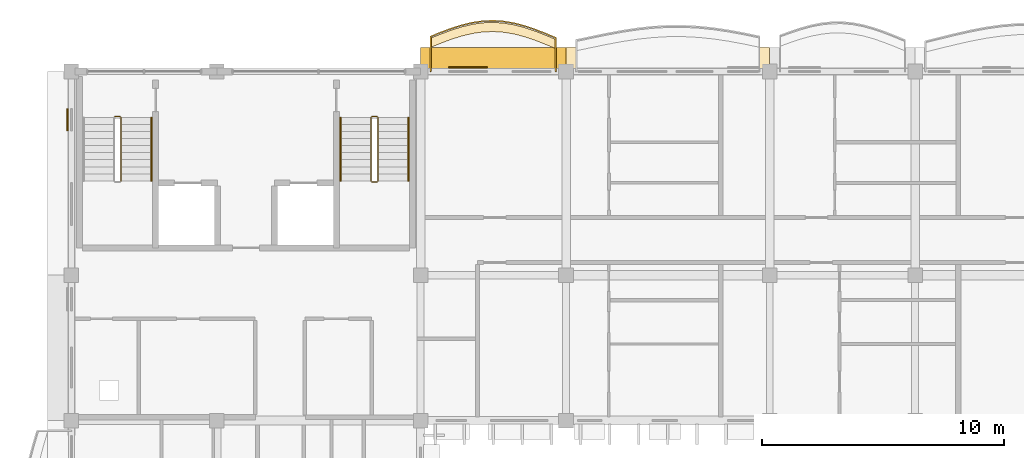
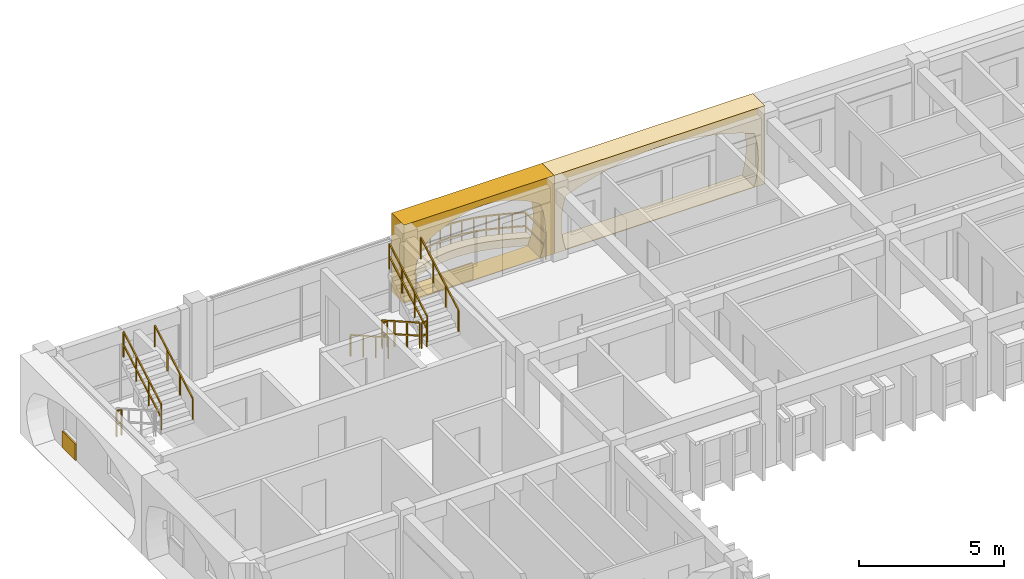
# One storey, part 43 of 59: 10 railings, 5 coverings.
"""IFC4 building model written with IfcOpenShell, lengths in metres."""

from ifc_helpers import new_model, si_unit, direction, frame, origin, origin_2d, place, context, subcontext, project, spatial, polyline, rectangle, outline, extrude, material, layer, layer_set, type_object, element, save


model = new_model("IFC4")

# Units and contexts
model_context = context("Model", 3, precision=1e-05, world=origin(), true_north=direction((0.0, 1.0)))
body_context = subcontext(model_context, "Body", "Model", "MODEL_VIEW")
ifc_project = project(units=[si_unit("LENGTHUNIT", "METRE"), si_unit("AREAUNIT", "SQUARE_METRE"), si_unit("VOLUMEUNIT", "CUBIC_METRE"), si_unit("PLANEANGLEUNIT", "RADIAN"), si_unit("MASSUNIT", "GRAM", prefix="KILO"), si_unit("THERMODYNAMICTEMPERATUREUNIT", "KELVIN")], contexts=[model_context])

# Site, building, storey
site_placement = place(None, origin())
site = spatial("IfcSite", under=ifc_project, at=site_placement, CompositionType="ELEMENT")
building_placement = place(site_placement, origin())
building = spatial("IfcBuilding", under=site, at=building_placement, Name="Thalorik Housing Commons", CompositionType="ELEMENT")
storey_placement = place(building_placement, frame((0.0, 0.0, 27.89990234375)))
storey = spatial("IfcBuildingStorey", under=building, at=storey_placement, Name="L08", CompositionType="ELEMENT", Elevation=27.89990234375)

# Coverings
ifc_material_1 = material(Name="Precast concrete C40/50", Category="concrete")
ifc_layer_1 = layer(ifc_material_1, 0.85009765625, Name="Precast concrete C40/50", Category="concrete")
ifc_layer_set_1 = layer_set([ifc_layer_1], Name="Precast concrete C40/50")
covering_type_1 = type_object("IfcCoveringType", Name="ARC-CLD-CUSH-850", PredefinedType="CLADDING", material=ifc_layer_set_1)
covering_1_placement = place(storey_placement, frame((33.0, 124.155029296875, 0.0), z_axis=(0.0, 0.0, 1.0), x_axis=(-1.0, 0.0, 0.0)))
element("IfcCovering", 1, at=covering_1_placement, inside=storey, type_object=covering_type_1, Name="L08 White Precast Curved Cushion Bay Frame 859", PredefinedType="CLADDING", context=body_context, shape_type="SweptSolid", body=[
    extrude(outline(polyline([(-4.199951171875, 0.0), (4.199951171875, 0.0), (4.199951171875, 3.300048828125), (-4.199951171875, 3.300048828125), (-4.199951171875, 0.0)]), holes=[polyline([(3.747802734375, 0.02490234375), (3.84326171875, 0.40087890625), (3.900390625, 0.776611328125), (3.919677734375, 1.152587890625), (3.900390625, 1.5283203125), (3.84326171875, 1.904296875), (3.747802734375, 2.280029296875), (3.121337890625, 2.51123046875), (2.494873046875, 2.693115234375), (1.868408203125, 2.840087890625), (1.241943359375, 2.94970703125), (0.615478515625, 3.01708984375), (-0.010986328125, 3.0400390625), (-0.6376953125, 3.01708984375), (-1.26416015625, 2.94970703125), (-1.890380859375, 2.840087890625), (-2.51708984375, 2.693115234375), (-3.1435546875, 2.51123046875), (-3.77001953125, 2.280029296875), (-3.86083984375, 1.904296875), (-3.915283203125, 1.5283203125), (-3.933349609375, 1.152587890625), (-3.915283203125, 0.776611328125), (-3.86083984375, 0.40087890625), (-3.77001953125, 0.02490234375), (3.747802734375, 0.02490234375)])]), frame((0.0, 0.425048828125, 0.0), z_axis=(0.0, -1.0, 0.0), x_axis=(1.0, 0.0, 0.0)), (0.0, 0.0, 1.0), 0.85009765625),
])
covering_2_placement = place(storey_placement, frame((25.800048828125, 124.155029296875, 0.0), z_axis=(0.0, 0.0, 1.0), x_axis=(-1.0, 0.0, 0.0)))
element("IfcCovering", 2, at=covering_2_placement, inside=storey, type_object=covering_type_1, Name="L08 White Precast Curved Cushion Bay Frame 861", PredefinedType="CLADDING", context=body_context, shape_type="SweptSolid", body=[
    extrude(outline(polyline([(-3.0, 0.0), (3.0, 0.0), (3.0, 3.300048828125), (-3.0, 3.300048828125), (-3.0, 0.0)]), holes=[polyline([(2.0400390625, 0.02490234375), (2.3232421875, 0.404296875), (2.493408203125, 0.783203125), (2.550048828125, 1.16259765625), (2.493408203125, 1.541748046875), (2.3232421875, 1.9208984375), (2.0400390625, 2.300048828125), (1.66748046875, 2.525390625), (1.294921875, 2.7021484375), (0.922607421875, 2.845458984375), (0.550048828125, 2.951904296875), (0.177490234375, 3.017822265625), (-0.195068359375, 3.0400390625), (-0.5673828125, 3.017822265625), (-0.93994140625, 2.951904296875), (-1.3125, 2.845458984375), (-1.68505859375, 2.7021484375), (-2.0576171875, 2.525390625), (-2.429931640625, 2.300048828125), (-2.55029296875, 1.9208984375), (-2.62255859375, 1.541748046875), (-2.646484375, 1.16259765625), (-2.62255859375, 0.783203125), (-2.55029296875, 0.404296875), (-2.429931640625, 0.02490234375), (2.0400390625, 0.02490234375)])]), frame((0.0, 0.425048828125, 0.0), z_axis=(0.0, -1.0, 0.0), x_axis=(1.0, 0.0, 0.0)), (0.0, 0.0, 1.0), 0.85009765625),
])
ifc_material_2 = material(Name="Terracotta red mineral fibre-cement panel", Category="masonry")
ifc_layer_2 = layer(ifc_material_2, 0.054931640625, Name="Terracotta red mineral fibre-cement panel", Category="masonry")
ifc_layer_set_2 = layer_set([ifc_layer_2], Name="Terracotta red mineral fibre-cement panel")
covering_type_2 = type_object("IfcCoveringType", Name="ARC-CLD-RED-55", PredefinedType="CLADDING", material=ifc_layer_set_2)
covering_3_placement = place(storey_placement, frame((24.760009765625, 123.762451171875, 0.05029296875), z_axis=(0.0, 0.0, 1.0), x_axis=(-1.0, 0.0, 0.0)))
element("IfcCovering", 3, at=covering_3_placement, inside=storey, type_object=covering_type_2, Name="L08 De Stijl Recessed Window Spandrel 862", PredefinedType="CLADDING", context=body_context, shape_type="SweptSolid", body=[
    extrude(rectangle(XDim=1.580078125, YDim=0.054931640625, at=origin_2d()), origin(), (0.0, 0.0, 1.0), 0.699951171875),
])
covering_4_placement = place(storey_placement, frame((8.237548828125, 121.603759765625, 0.05029296875), z_axis=(0.0, 0.0, 1.0), x_axis=(0.0, -1.0, 0.0)))
element("IfcCovering", 4, at=covering_4_placement, inside=storey, type_object=covering_type_2, Name="L08 De Stijl Recessed Window Spandrel 864", PredefinedType="CLADDING", context=body_context, shape_type="SweptSolid", body=[
    extrude(rectangle(XDim=0.89990234375, YDim=0.054931640625, at=origin_2d()), origin(), (0.0, 0.0, 1.0), 0.699951171875),
])
ifc_material_3 = material(Name="Planted vegetated substrate and terracotta trough", Category="masonry")
ifc_layer_3 = layer(ifc_material_3, 0.340087890625, Name="Planted vegetated substrate and terracotta trough", Category="masonry")
ifc_layer_set_3 = layer_set([ifc_layer_3], Name="Planted vegetated substrate and terracotta trough")
covering_type_3 = type_object("IfcCoveringType", Name="ARC-COV-PLANTER", PredefinedType="USERDEFINED", material=ifc_layer_set_3)
covering_5_placement = place(storey_placement, origin())
element("IfcCovering", 5, at=covering_5_placement, inside=storey, type_object=covering_type_3, Name="L08 Balcony Slab-Edge Planted Trough 5371", ObjectType="PLANTER", PredefinedType="USERDEFINED", context=body_context, shape_type="SweptSolid", body=[
    extrude(outline(polyline([(28.3798828125, 124.920654296875), (27.949951171875, 125.1005859375), (27.52001953125, 125.26806640625), (27.090087890625, 125.41259765625), (26.659912109375, 125.524658203125), (26.22998046875, 125.597412109375), (25.800048828125, 125.6259765625), (25.3701171875, 125.60888671875), (24.93994140625, 125.547119140625), (24.510009765625, 125.4453125), (24.080078125, 125.31005859375), (23.64990234375, 125.150146484375), (23.219970703125, 124.976318359375), (23.219970703125, 124.59619140625), (23.64990234375, 124.770263671875), (24.080078125, 124.93017578125), (24.510009765625, 125.0654296875), (24.93994140625, 125.167236328125), (25.3701171875, 125.228759765625), (25.800048828125, 125.245849609375), (26.22998046875, 125.21728515625), (26.659912109375, 125.144775390625), (27.090087890625, 125.032470703125), (27.52001953125, 124.88818359375), (27.949951171875, 124.720458984375), (28.3798828125, 124.540771484375), (28.3798828125, 124.920654296875)])), origin(), (0.0, 0.0, 1.0), 0.340087890625),
])

# Railings
ifc_material_4 = material(Name="Steel S355", Category="steel")
railing_type_1 = type_object("IfcRailingType", Name="ARC-RL-BAL-115", PredefinedType="BALUSTRADE", material=ifc_material_4)
railing_1_placement = place(storey_placement, frame((28.3798828125, 123.60009765625, 0.0)))
element("IfcRailing", 6, at=railing_1_placement, inside=storey, type_object=railing_type_1, Name="L08 Cushion Balcony Guardrail 55", PredefinedType="BALUSTRADE", context=body_context, shape_type="SweptSolid", body=[
    extrude(rectangle(XDim=0.050048828125, YDim=0.050048828125, at=origin_2d()), frame((0.0, 0.0, 1.125), z_axis=(0.0, 1.0, 0.0), x_axis=(-1.0, 0.0, 0.0)), (0.0, 0.0, 1.0), 1.390625),
    extrude(rectangle(XDim=0.050048828125, YDim=0.050048828125, at=origin_2d()), frame((0.0, 0.0, 0.5498046875), z_axis=(0.0, 1.0, 0.0), x_axis=(-1.0, 0.0, 0.0)), (0.0, 0.0, 1.0), 1.390625),
    extrude(rectangle(XDim=0.050048828125, YDim=0.050048828125, at=origin_2d()), frame((0.0, 1.390625, 1.125), z_axis=(-0.922657844822, 0.385619633043, 0.0), x_axis=(-0.385619633043, -0.922657844822, 0.0)), (0.0, 0.0, 1.0), 0.466064453125),
    extrude(rectangle(XDim=0.050048828125, YDim=0.050048828125, at=origin_2d()), frame((0.0, 1.390625, 0.5498046875), z_axis=(-0.922657844822, 0.385619633043, 0.0), x_axis=(-0.385619633043, -0.922657844822, 0.0)), (0.0, 0.0, 1.0), 0.466064453125),
    extrude(rectangle(XDim=0.050048828125, YDim=0.050048828125, at=origin_2d()), frame((-0.429931640625, 1.5703125, 1.125), z_axis=(-0.931616942852, 0.363441703429, 0.0), x_axis=(-0.363441703429, -0.931616942852, 0.0)), (0.0, 0.0, 1.0), 0.46142578125),
    extrude(rectangle(XDim=0.050048828125, YDim=0.050048828125, at=origin_2d()), frame((-0.429931640625, 1.5703125, 0.5498046875), z_axis=(-0.931616942852, 0.363441703429, 0.0), x_axis=(-0.363441703429, -0.931616942852, 0.0)), (0.0, 0.0, 1.0), 0.46142578125),
    extrude(rectangle(XDim=0.050048828125, YDim=0.050048828125, at=origin_2d()), frame((-0.85986328125, 1.738037109375, 1.125), z_axis=(-0.948035297772, 0.318165168077, 0.0), x_axis=(-0.318165168077, -0.948035297772, 0.0)), (0.0, 0.0, 1.0), 0.45361328125),
    extrude(rectangle(XDim=0.050048828125, YDim=0.050048828125, at=origin_2d()), frame((-0.85986328125, 1.738037109375, 0.5498046875), z_axis=(-0.948035297772, 0.318165168077, 0.0), x_axis=(-0.318165168077, -0.948035297772, 0.0)), (0.0, 0.0, 1.0), 0.45361328125),
    extrude(rectangle(XDim=0.050048828125, YDim=0.050048828125, at=origin_2d()), frame((-1.289794921875, 1.88232421875, 1.125), z_axis=(-0.967570603948, 0.252600725208, 0.0), x_axis=(-0.252600725208, -0.967570603948, 0.0)), (0.0, 0.0, 1.0), 0.444580078125),
    extrude(rectangle(XDim=0.050048828125, YDim=0.050048828125, at=origin_2d()), frame((-1.289794921875, 1.88232421875, 0.5498046875), z_axis=(-0.967570603948, 0.252600725208, 0.0), x_axis=(-0.252600725208, -0.967570603948, 0.0)), (0.0, 0.0, 1.0), 0.444580078125),
    extrude(rectangle(XDim=0.050048828125, YDim=0.050048828125, at=origin_2d()), frame((-1.719970703125, 1.99462890625, 1.125), z_axis=(-0.986074270485, 0.16630554136, 0.0), x_axis=(-0.16630554136, -0.986074270485, 0.0)), (0.0, 0.0, 1.0), 0.43603515625),
    extrude(rectangle(XDim=0.050048828125, YDim=0.050048828125, at=origin_2d()), frame((-1.719970703125, 1.99462890625, 0.5498046875), z_axis=(-0.986074270485, 0.16630554136, 0.0), x_axis=(-0.16630554136, -0.986074270485, 0.0)), (0.0, 0.0, 1.0), 0.43603515625),
    extrude(rectangle(XDim=0.050048828125, YDim=0.050048828125, at=origin_2d()), frame((-2.14990234375, 2.067138671875, 1.125), z_axis=(-0.997800175086, 0.06629336768, 0.0), x_axis=(-0.06629336768, -0.997800175086, 0.0)), (0.0, 0.0, 1.0), 0.430908203125),
    extrude(rectangle(XDim=0.050048828125, YDim=0.050048828125, at=origin_2d()), frame((-2.14990234375, 2.067138671875, 0.5498046875), z_axis=(-0.997800175086, 0.06629336768, 0.0), x_axis=(-0.06629336768, -0.997800175086, 0.0)), (0.0, 0.0, 1.0), 0.430908203125),
    extrude(rectangle(XDim=0.050048828125, YDim=0.050048828125, at=origin_2d()), frame((-2.579833984375, 2.095703125, 1.125), z_axis=(-0.999210898113, -0.039718775053, 0.0), x_axis=(0.039718775053, -0.999210898113, 0.0)), (0.0, 0.0, 1.0), 0.43017578125),
    extrude(rectangle(XDim=0.050048828125, YDim=0.050048828125, at=origin_2d()), frame((-2.579833984375, 2.095703125, 0.5498046875), z_axis=(-0.999210898113, -0.039718775053, 0.0), x_axis=(0.039718775053, -0.999210898113, 0.0)), (0.0, 0.0, 1.0), 0.43017578125),
    extrude(rectangle(XDim=0.050048828125, YDim=0.050048828125, at=origin_2d()), frame((-3.009765625, 2.07861328125, 1.125), z_axis=(-0.989927008359, -0.141578664079, 0.0), x_axis=(0.141578664079, -0.989927008359, 0.0)), (0.0, 0.0, 1.0), 0.4345703125),
    extrude(rectangle(XDim=0.050048828125, YDim=0.050048828125, at=origin_2d()), frame((-3.009765625, 2.07861328125, 0.5498046875), z_axis=(-0.989927008359, -0.141578664079, 0.0), x_axis=(0.141578664079, -0.989927008359, 0.0)), (0.0, 0.0, 1.0), 0.4345703125),
    extrude(rectangle(XDim=0.050048828125, YDim=0.050048828125, at=origin_2d()), frame((-3.43994140625, 2.01708984375, 1.125), z_axis=(-0.973090069964, -0.230425076192, 0.0), x_axis=(0.230425076192, -0.973090069964, 0.0)), (0.0, 0.0, 1.0), 0.44189453125),
    extrude(rectangle(XDim=0.050048828125, YDim=0.050048828125, at=origin_2d()), frame((-3.43994140625, 2.01708984375, 0.5498046875), z_axis=(-0.973090069964, -0.230425076192, 0.0), x_axis=(0.230425076192, -0.973090069964, 0.0)), (0.0, 0.0, 1.0), 0.44189453125),
    extrude(rectangle(XDim=0.050048828125, YDim=0.050048828125, at=origin_2d()), frame((-3.869873046875, 1.915283203125, 1.125), z_axis=(-0.953909569084, -0.300094208559, 0.0), x_axis=(0.300094208559, -0.953909569084, 0.0)), (0.0, 0.0, 1.0), 0.45068359375),
    extrude(rectangle(XDim=0.050048828125, YDim=0.050048828125, at=origin_2d()), frame((-3.869873046875, 1.915283203125, 0.5498046875), z_axis=(-0.953909569084, -0.300094208559, 0.0), x_axis=(0.300094208559, -0.953909569084, 0.0)), (0.0, 0.0, 1.0), 0.45068359375),
    extrude(rectangle(XDim=0.050048828125, YDim=0.050048828125, at=origin_2d()), frame((-4.2998046875, 1.780029296875, 1.125), z_axis=(-0.937330979003, -0.348440290152, 0.0), x_axis=(0.348440290152, -0.937330979003, 0.0)), (0.0, 0.0, 1.0), 0.458984375),
    extrude(rectangle(XDim=0.050048828125, YDim=0.050048828125, at=origin_2d()), frame((-4.2998046875, 1.780029296875, 0.5498046875), z_axis=(-0.937330979003, -0.348440290152, 0.0), x_axis=(0.348440290152, -0.937330979003, 0.0)), (0.0, 0.0, 1.0), 0.458984375),
    extrude(rectangle(XDim=0.050048828125, YDim=0.050048828125, at=origin_2d()), frame((-4.72998046875, 1.6201171875, 1.125), z_axis=(-0.927090603985, -0.374837314047, 0.0), x_axis=(0.374837314047, -0.927090603985, 0.0)), (0.0, 0.0, 1.0), 0.463623046875),
    extrude(rectangle(XDim=0.050048828125, YDim=0.050048828125, at=origin_2d()), frame((-4.72998046875, 1.6201171875, 0.5498046875), z_axis=(-0.927090603985, -0.374837314047, 0.0), x_axis=(0.374837314047, -0.927090603985, 0.0)), (0.0, 0.0, 1.0), 0.463623046875),
    extrude(rectangle(XDim=0.050048828125, YDim=0.050048828125, at=origin_2d()), frame((-5.159912109375, 1.4462890625, 1.125), z_axis=(0.0, -1.0, 0.0), x_axis=(1.0, 0.0, 0.0)), (0.0, 0.0, 1.0), 1.4462890625),
    extrude(rectangle(XDim=0.050048828125, YDim=0.050048828125, at=origin_2d()), frame((-5.159912109375, 1.4462890625, 0.5498046875), z_axis=(0.0, -1.0, 0.0), x_axis=(1.0, 0.0, 0.0)), (0.0, 0.0, 1.0), 1.4462890625),
    extrude(rectangle(XDim=0.0419921875, YDim=0.0419921875, at=origin_2d()), origin(), (0.0, 0.0, 1.0), 1.099853515625),
    extrude(rectangle(XDim=0.0419921875, YDim=0.0419921875, at=origin_2d()), frame((0.0, 1.390625, 0.0)), (0.0, 0.0, 1.0), 1.099853515625),
    extrude(rectangle(XDim=0.0419921875, YDim=0.0419921875, at=origin_2d()), frame((-0.429931640625, 1.5703125, 0.0)), (0.0, 0.0, 1.0), 1.099853515625),
    extrude(rectangle(XDim=0.0419921875, YDim=0.0419921875, at=origin_2d()), frame((-0.85986328125, 1.738037109375, 0.0)), (0.0, 0.0, 1.0), 1.099853515625),
    extrude(rectangle(XDim=0.0419921875, YDim=0.0419921875, at=origin_2d()), frame((-1.289794921875, 1.88232421875, 0.0)), (0.0, 0.0, 1.0), 1.099853515625),
    extrude(rectangle(XDim=0.0419921875, YDim=0.0419921875, at=origin_2d()), frame((-1.719970703125, 1.99462890625, 0.0)), (0.0, 0.0, 1.0), 1.099853515625),
    extrude(rectangle(XDim=0.0419921875, YDim=0.0419921875, at=origin_2d()), frame((-2.14990234375, 2.067138671875, 0.0)), (0.0, 0.0, 1.0), 1.099853515625),
    extrude(rectangle(XDim=0.0419921875, YDim=0.0419921875, at=origin_2d()), frame((-2.579833984375, 2.095703125, 0.0)), (0.0, 0.0, 1.0), 1.099853515625),
    extrude(rectangle(XDim=0.0419921875, YDim=0.0419921875, at=origin_2d()), frame((-3.009765625, 2.07861328125, 0.0)), (0.0, 0.0, 1.0), 1.099853515625),
    extrude(rectangle(XDim=0.0419921875, YDim=0.0419921875, at=origin_2d()), frame((-3.43994140625, 2.01708984375, 0.0)), (0.0, 0.0, 1.0), 1.099853515625),
    extrude(rectangle(XDim=0.0419921875, YDim=0.0419921875, at=origin_2d()), frame((-3.869873046875, 1.915283203125, 0.0)), (0.0, 0.0, 1.0), 1.099853515625),
    extrude(rectangle(XDim=0.0419921875, YDim=0.0419921875, at=origin_2d()), frame((-4.2998046875, 1.780029296875, 0.0)), (0.0, 0.0, 1.0), 1.099853515625),
    extrude(rectangle(XDim=0.0419921875, YDim=0.0419921875, at=origin_2d()), frame((-4.72998046875, 1.6201171875, 0.0)), (0.0, 0.0, 1.0), 1.099853515625),
    extrude(rectangle(XDim=0.0419921875, YDim=0.0419921875, at=origin_2d()), frame((-5.159912109375, 1.4462890625, 0.0)), (0.0, 0.0, 1.0), 1.099853515625),
    extrude(rectangle(XDim=0.0419921875, YDim=0.0419921875, at=origin_2d()), frame((-5.159912109375, 0.0, 0.0)), (0.0, 0.0, 1.0), 1.099853515625),
])
railing_type_2 = type_object("IfcRailingType", Name="ARC-RL-STR-GRD110", PredefinedType="GUARDRAIL", material=ifc_material_4)
railing_2_placement = place(storey_placement, frame((10.449951171875, 119.090087890625, 1.815185546875)))
element("IfcRailing", 7, at=railing_2_placement, inside=storey, type_object=railing_type_2, Name="L08 ST-A1 stair guard 3", PredefinedType="GUARDRAIL", context=body_context, shape_type="SweptSolid", body=[
    extrude(rectangle(XDim=0.048095703125, YDim=0.048095703125, at=origin_2d()), frame((0.0, 0.0, 1.076171875), z_axis=(0.0, 0.869172267526, 0.494509422927), x_axis=(-1.0, 0.0, 0.0)), (0.0, 0.0, 1.0), 3.002685546875),
    extrude(rectangle(XDim=0.048095703125, YDim=0.048095703125, at=origin_2d()), frame((0.0, 0.0, 0.52587890625), z_axis=(0.0, 0.869172267526, 0.494509422927), x_axis=(-1.0, 0.0, 0.0)), (0.0, 0.0, 1.0), 3.002685546875),
    extrude(rectangle(XDim=0.0419921875, YDim=0.0419921875, at=origin_2d()), origin(), (0.0, 0.0, 1.0), 1.052001953125),
    extrude(rectangle(XDim=0.0419921875, YDim=0.0419921875, at=origin_2d()), frame((0.0, 0.869873046875, 0.494873046875)), (0.0, 0.0, 1.0), 1.052001953125),
    extrude(rectangle(XDim=0.0419921875, YDim=0.0419921875, at=origin_2d()), frame((0.0, 1.739990234375, 0.989990234375)), (0.0, 0.0, 1.0), 1.052001953125),
    extrude(rectangle(XDim=0.0419921875, YDim=0.0419921875, at=origin_2d()), frame((0.0, 2.60986328125, 1.48486328125)), (0.0, 0.0, 1.0), 1.052001953125),
])
railing_3_placement = place(storey_placement, frame((10.199951171875, 121.75, 0.0)))
element("IfcRailing", 8, at=railing_3_placement, inside=storey, type_object=railing_type_2, Name="L08 ST-A1 stair guard 4", PredefinedType="GUARDRAIL", context=body_context, shape_type="SweptSolid", body=[
    extrude(rectangle(XDim=0.048095703125, YDim=0.048095703125, at=origin_2d()), frame((0.0, 0.0, 1.076171875), z_axis=(1.0, 0.0, 0.0), x_axis=(0.0, 1.0, 0.0)), (0.0, 0.0, 1.0), 0.199951171875),
    extrude(rectangle(XDim=0.048095703125, YDim=0.048095703125, at=origin_2d()), frame((0.0, 0.0, 0.52587890625), z_axis=(1.0, 0.0, 0.0), x_axis=(0.0, 1.0, 0.0)), (0.0, 0.0, 1.0), 0.199951171875),
    extrude(rectangle(XDim=0.0419921875, YDim=0.0419921875, at=origin_2d()), origin(), (0.0, 0.0, 1.0), 1.052001953125),
    extrude(rectangle(XDim=0.0419921875, YDim=0.0419921875, at=origin_2d()), frame((0.199951171875, 0.0, 0.0)), (0.0, 0.0, 1.0), 1.052001953125),
])
railing_4_placement = place(storey_placement, frame((20.75, 121.699951171875, 0.1650390625)))
element("IfcRailing", 9, at=railing_4_placement, inside=storey, type_object=railing_type_2, Name="L08 ST-A2 stair guard 1", PredefinedType="GUARDRAIL", context=body_context, shape_type="SweptSolid", body=[
    extrude(rectangle(XDim=0.048095703125, YDim=0.048095703125, at=origin_2d()), frame((0.0, 0.0, 1.076171875), z_axis=(0.0, -0.869137319866, 0.494570843475), x_axis=(1.0, 0.0, 0.0)), (0.0, 0.0, 1.0), 3.0029296875),
    extrude(rectangle(XDim=0.048095703125, YDim=0.048095703125, at=origin_2d()), frame((0.0, 0.0, 0.52587890625), z_axis=(0.0, -0.869137319866, 0.494570843475), x_axis=(1.0, 0.0, 0.0)), (0.0, 0.0, 1.0), 3.0029296875),
    extrude(rectangle(XDim=0.0419921875, YDim=0.0419921875, at=origin_2d()), origin(), (0.0, 0.0, 1.0), 1.052001953125),
    extrude(rectangle(XDim=0.0419921875, YDim=0.0419921875, at=origin_2d()), frame((0.0, -0.869873046875, 0.4951171875)), (0.0, 0.0, 1.0), 1.052001953125),
    extrude(rectangle(XDim=0.0419921875, YDim=0.0419921875, at=origin_2d()), frame((0.0, -1.739990234375, 0.989990234375)), (0.0, 0.0, 1.0), 1.052001953125),
    extrude(rectangle(XDim=0.0419921875, YDim=0.0419921875, at=origin_2d()), frame((0.0, -2.60986328125, 1.485107421875)), (0.0, 0.0, 1.0), 1.052001953125),
])
railing_5_placement = place(storey_placement, frame((20.800048828125, 119.0400390625, 1.650146484375)))
element("IfcRailing", 10, at=railing_5_placement, inside=storey, type_object=railing_type_2, Name="L08 ST-A2 stair guard 2", PredefinedType="GUARDRAIL", context=body_context, shape_type="SweptSolid", body=[
    extrude(rectangle(XDim=0.048095703125, YDim=0.048095703125, at=origin_2d()), frame((0.0, 0.0, 1.076171875), z_axis=(1.0, 0.0, 0.0), x_axis=(0.0, 1.0, 0.0)), (0.0, 0.0, 1.0), 0.199951171875),
    extrude(rectangle(XDim=0.048095703125, YDim=0.048095703125, at=origin_2d()), frame((0.0, 0.0, 0.52587890625), z_axis=(1.0, 0.0, 0.0), x_axis=(0.0, 1.0, 0.0)), (0.0, 0.0, 1.0), 0.199951171875),
    extrude(rectangle(XDim=0.0419921875, YDim=0.0419921875, at=origin_2d()), origin(), (0.0, 0.0, 1.0), 1.052001953125),
    extrude(rectangle(XDim=0.0419921875, YDim=0.0419921875, at=origin_2d()), frame((0.199951171875, 0.0, 0.0)), (0.0, 0.0, 1.0), 1.052001953125),
])
railing_6_placement = place(storey_placement, frame((21.050048828125, 119.090087890625, 1.815185546875)))
element("IfcRailing", 11, at=railing_6_placement, inside=storey, type_object=railing_type_2, Name="L08 ST-A2 stair guard 3", PredefinedType="GUARDRAIL", context=body_context, shape_type="SweptSolid", body=[
    extrude(rectangle(XDim=0.048095703125, YDim=0.048095703125, at=origin_2d()), frame((0.0, 0.0, 1.076171875), z_axis=(0.0, 0.869172267526, 0.494509422927), x_axis=(-1.0, 0.0, 0.0)), (0.0, 0.0, 1.0), 3.002685546875),
    extrude(rectangle(XDim=0.048095703125, YDim=0.048095703125, at=origin_2d()), frame((0.0, 0.0, 0.52587890625), z_axis=(0.0, 0.869172267526, 0.494509422927), x_axis=(-1.0, 0.0, 0.0)), (0.0, 0.0, 1.0), 3.002685546875),
    extrude(rectangle(XDim=0.0419921875, YDim=0.0419921875, at=origin_2d()), origin(), (0.0, 0.0, 1.0), 1.052001953125),
    extrude(rectangle(XDim=0.0419921875, YDim=0.0419921875, at=origin_2d()), frame((0.0, 0.869873046875, 0.494873046875)), (0.0, 0.0, 1.0), 1.052001953125),
    extrude(rectangle(XDim=0.0419921875, YDim=0.0419921875, at=origin_2d()), frame((0.0, 1.739990234375, 0.989990234375)), (0.0, 0.0, 1.0), 1.052001953125),
    extrude(rectangle(XDim=0.0419921875, YDim=0.0419921875, at=origin_2d()), frame((0.0, 2.60986328125, 1.48486328125)), (0.0, 0.0, 1.0), 1.052001953125),
])
railing_7_placement = place(storey_placement, frame((20.800048828125, 121.75, 0.0)))
element("IfcRailing", 12, at=railing_7_placement, inside=storey, type_object=railing_type_2, Name="L08 ST-A2 stair guard 4", PredefinedType="GUARDRAIL", context=body_context, shape_type="SweptSolid", body=[
    extrude(rectangle(XDim=0.048095703125, YDim=0.048095703125, at=origin_2d()), frame((0.0, 0.0, 1.076171875), z_axis=(1.0, 0.0, 0.0), x_axis=(0.0, 1.0, 0.0)), (0.0, 0.0, 1.0), 0.199951171875),
    extrude(rectangle(XDim=0.048095703125, YDim=0.048095703125, at=origin_2d()), frame((0.0, 0.0, 0.52587890625), z_axis=(1.0, 0.0, 0.0), x_axis=(0.0, 1.0, 0.0)), (0.0, 0.0, 1.0), 0.199951171875),
    extrude(rectangle(XDim=0.0419921875, YDim=0.0419921875, at=origin_2d()), origin(), (0.0, 0.0, 1.0), 1.052001953125),
    extrude(rectangle(XDim=0.0419921875, YDim=0.0419921875, at=origin_2d()), frame((0.199951171875, 0.0, 0.0)), (0.0, 0.0, 1.0), 1.052001953125),
])
railing_type_3 = type_object("IfcRailingType", Name="ARC-RL-STR-HR092", PredefinedType="HANDRAIL", material=ifc_material_4)
railing_8_placement = place(storey_placement, frame((11.699951171875, 119.090087890625, 1.815185546875)))
element("IfcRailing", 13, at=railing_8_placement, inside=storey, type_object=railing_type_3, Name="L08 ST-A1 stair handrail 2", PredefinedType="HANDRAIL", context=body_context, shape_type="SweptSolid", body=[
    extrude(rectangle(XDim=0.048095703125, YDim=0.048095703125, at=origin_2d()), frame((0.0, 0.0, 0.89599609375), z_axis=(0.0, 0.869172267526, 0.494509422927), x_axis=(-1.0, 0.0, 0.0)), (0.0, 0.0, 1.0), 3.002685546875),
    extrude(rectangle(XDim=0.0419921875, YDim=0.0419921875, at=origin_2d()), origin(), (0.0, 0.0, 1.0), 0.871826171875),
    extrude(rectangle(XDim=0.0419921875, YDim=0.0419921875, at=origin_2d()), frame((0.0, 0.869873046875, 0.494873046875)), (0.0, 0.0, 1.0), 0.871826171875),
    extrude(rectangle(XDim=0.0419921875, YDim=0.0419921875, at=origin_2d()), frame((0.0, 1.739990234375, 0.989990234375)), (0.0, 0.0, 1.0), 0.871826171875),
    extrude(rectangle(XDim=0.0419921875, YDim=0.0419921875, at=origin_2d()), frame((0.0, 2.60986328125, 1.48486328125)), (0.0, 0.0, 1.0), 0.871826171875),
])
railing_9_placement = place(storey_placement, frame((19.5, 121.699951171875, 0.1650390625)))
element("IfcRailing", 14, at=railing_9_placement, inside=storey, type_object=railing_type_3, Name="L08 ST-A2 stair handrail 1", PredefinedType="HANDRAIL", context=body_context, shape_type="SweptSolid", body=[
    extrude(rectangle(XDim=0.048095703125, YDim=0.048095703125, at=origin_2d()), frame((0.0, 0.0, 0.89599609375), z_axis=(0.0, -0.869137319866, 0.494570843475), x_axis=(1.0, 0.0, 0.0)), (0.0, 0.0, 1.0), 3.0029296875),
    extrude(rectangle(XDim=0.0419921875, YDim=0.0419921875, at=origin_2d()), origin(), (0.0, 0.0, 1.0), 0.871826171875),
    extrude(rectangle(XDim=0.0419921875, YDim=0.0419921875, at=origin_2d()), frame((0.0, -0.869873046875, 0.4951171875)), (0.0, 0.0, 1.0), 0.871826171875),
    extrude(rectangle(XDim=0.0419921875, YDim=0.0419921875, at=origin_2d()), frame((0.0, -1.739990234375, 0.989990234375)), (0.0, 0.0, 1.0), 0.871826171875),
    extrude(rectangle(XDim=0.0419921875, YDim=0.0419921875, at=origin_2d()), frame((0.0, -2.60986328125, 1.485107421875)), (0.0, 0.0, 1.0), 0.871826171875),
])
railing_10_placement = place(storey_placement, frame((22.300048828125, 119.090087890625, 1.815185546875)))
element("IfcRailing", 15, at=railing_10_placement, inside=storey, type_object=railing_type_3, Name="L08 ST-A2 stair handrail 2", PredefinedType="HANDRAIL", context=body_context, shape_type="SweptSolid", body=[
    extrude(rectangle(XDim=0.048095703125, YDim=0.048095703125, at=origin_2d()), frame((0.0, 0.0, 0.89599609375), z_axis=(0.0, 0.869172267526, 0.494509422927), x_axis=(-1.0, 0.0, 0.0)), (0.0, 0.0, 1.0), 3.002685546875),
    extrude(rectangle(XDim=0.0419921875, YDim=0.0419921875, at=origin_2d()), origin(), (0.0, 0.0, 1.0), 0.871826171875),
    extrude(rectangle(XDim=0.0419921875, YDim=0.0419921875, at=origin_2d()), frame((0.0, 0.869873046875, 0.494873046875)), (0.0, 0.0, 1.0), 0.871826171875),
    extrude(rectangle(XDim=0.0419921875, YDim=0.0419921875, at=origin_2d()), frame((0.0, 1.739990234375, 0.989990234375)), (0.0, 0.0, 1.0), 0.871826171875),
    extrude(rectangle(XDim=0.0419921875, YDim=0.0419921875, at=origin_2d()), frame((0.0, 2.60986328125, 1.48486328125)), (0.0, 0.0, 1.0), 0.871826171875),
])

save(model, "model.ifc")
